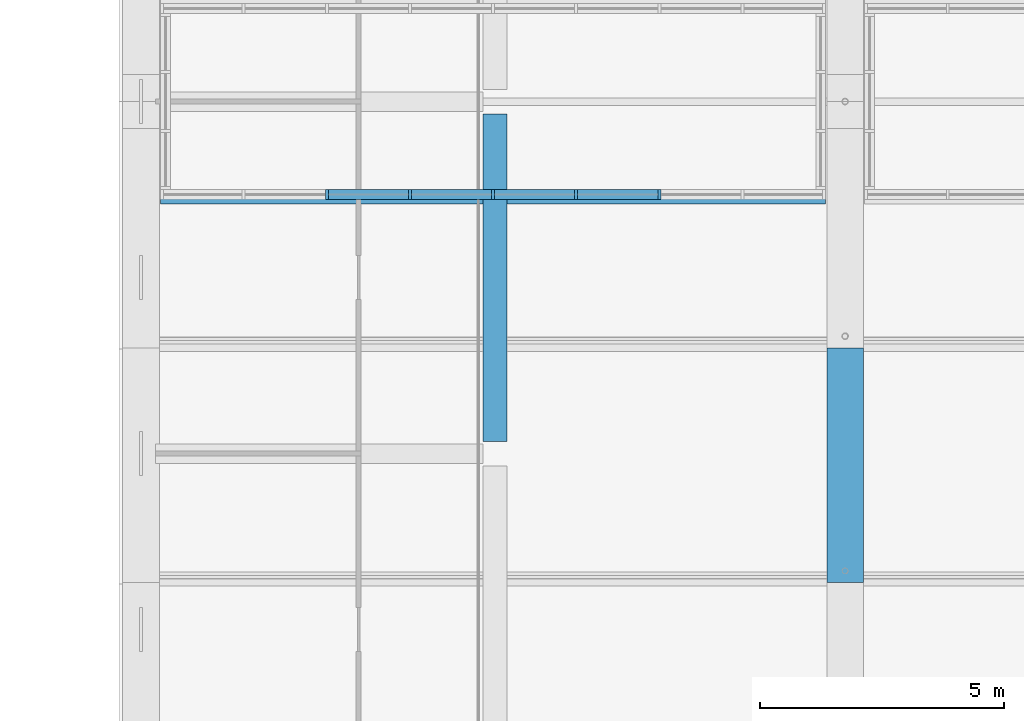
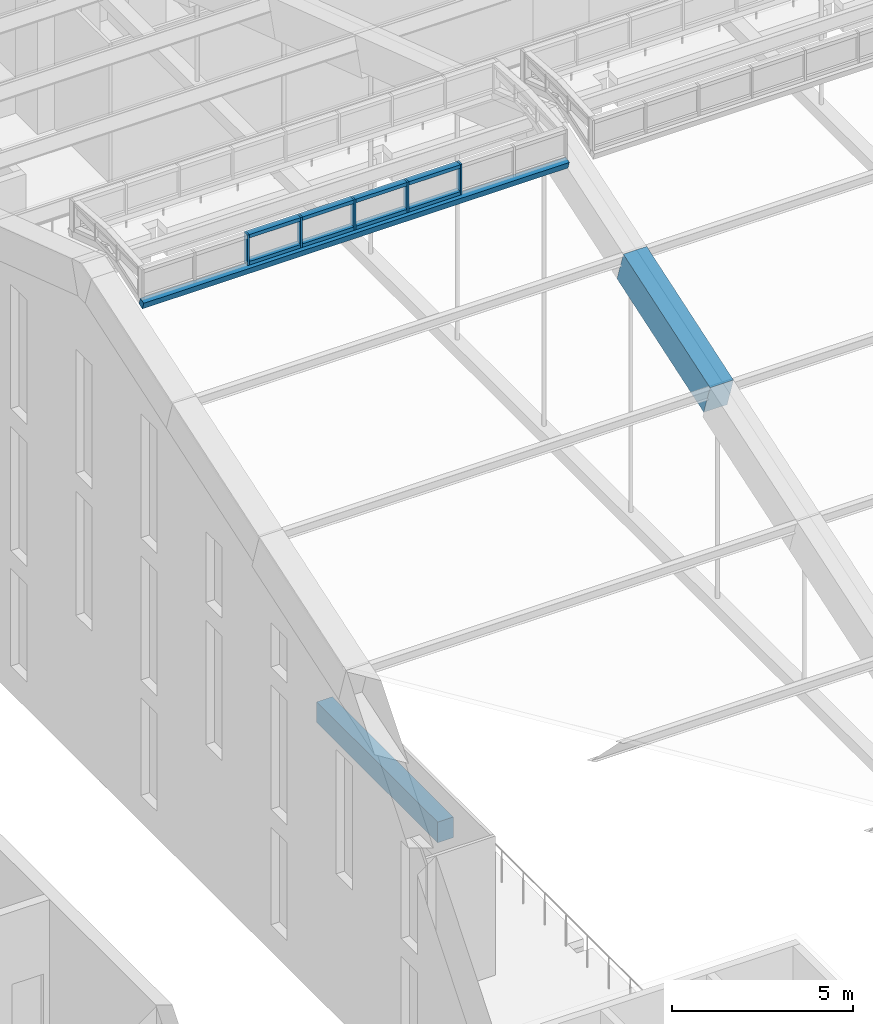
# One storey, part 30 of 149: 14 members, 2 beams, 1 element without a shape of its own.
"""IFC4 building model written with IfcOpenShell, lengths in metres."""

from ifc_helpers import new_model, si_unit, direction, frame, origin, origin_2d, place, context, subcontext, project, spatial, rectangle, extrude, material, material_profile, profile_set, type_object, element, aggregate, save


model = new_model("IFC4")

# Units and contexts
model_context = context("Model", 3, precision=1e-05, world=origin(), true_north=direction((0.0, 1.0)))
body_context = subcontext(model_context, "Body", "Model", "MODEL_VIEW")
ifc_project = project(units=[si_unit("LENGTHUNIT", "METRE"), si_unit("AREAUNIT", "SQUARE_METRE"), si_unit("VOLUMEUNIT", "CUBIC_METRE"), si_unit("PLANEANGLEUNIT", "RADIAN"), si_unit("MASSUNIT", "GRAM", prefix="KILO")], contexts=[model_context])

# Site, building, storey
site_placement = place(None, origin())
site = spatial("IfcSite", under=ifc_project, at=site_placement, CompositionType="ELEMENT")
building_placement = place(site_placement, origin())
building = spatial("IfcBuilding", under=site, at=building_placement, Name="Alderwick Market Hall", CompositionType="ELEMENT")
storey_placement = place(building_placement, frame((0.0, 0.0, 9.60009765625)))
storey = spatial("IfcBuildingStorey", under=building, at=storey_placement, Name="L01", CompositionType="ELEMENT", Elevation=9.60009765625)

# Beams
ifc_material_1 = material(Name="Concrete 5000 psi (f'c 35 MPa)", Category="concrete")
ifc_material_profile_1 = material_profile(ifc_material_1, rectangle(XDim=0.5, YDim=0.699951171875, at=origin_2d()), Name="RC 500x700")
ifc_profile_set_1 = profile_set([ifc_material_profile_1], Name="Concrete 5000 psi (f'c 35 MPa)")
beam_type_1 = type_object("IfcBeamType", Name="H Edge beam 500x700", PredefinedType="BEAM", material=ifc_profile_set_1)
beam_1_placement = place(storey_placement, frame((57.639892578125, 72.25, -0.60009765625), z_axis=(0.0, 1.0, 0.0), x_axis=(-1.0, 0.0, 0.0)))
element("IfcBeam", 1, at=beam_1_placement, inside=storey, type_object=beam_type_1, Name="Gallery edge beam W", PredefinedType="BEAM", context=body_context, shape_type="SweptSolid", body=[
    extrude(rectangle(XDim=0.5, YDim=0.699951171875, at=origin_2d()), origin(), (0.0, 0.0, 1.0), 6.699951171875),
])
ifc_material_profile_2 = material_profile(ifc_material_1, rectangle(XDim=0.75, YDim=1.10009765625, at=origin_2d()), Name="RC 750x1100")
ifc_profile_set_2 = profile_set([ifc_material_profile_2], Name="Concrete 5000 psi (f'c 35 MPa)")
beam_type_2 = type_object("IfcBeamType", Name="R Arch Rib Crown 750x1100", PredefinedType="BEAM", material=ifc_profile_set_2)
beam_2_placement = place(storey_placement, frame((64.800048828125, 69.536865234375, 13.189697265625), z_axis=(0.0, 0.948688123414, 0.316213289559), x_axis=(-1.0, 0.0, 0.0)))
element("IfcBeam", 2, at=beam_2_placement, inside=storey, type_object=beam_type_2, Name="Arch rib 2 chord 5", PredefinedType="BEAM", context=body_context, shape_type="SweptSolid", body=[
    extrude(rectangle(XDim=0.75, YDim=1.10009765625, at=origin_2d()), origin(), (0.0, 0.0, 1.0), 5.059326171875),
])

# Curtain wall, members
ifc_material_2 = material(Name="Aluminium", Category="aluminium")
curtain_wall_type = type_object("IfcCurtainWallType", Name="R Curtain Wall Frame", PredefinedType="NOTDEFINED", material=ifc_material_2)
curtain_wall_placement = place(storey_placement, origin())
curtain_wall = element("IfcCurtainWall", 3, at=curtain_wall_placement, inside=storey, type_object=curtain_wall_type, Name="Curtain wall LCW S1", PredefinedType="NOTDEFINED")
ifc_material_profile_3 = material_profile(ifc_material_2, rectangle(XDim=0.199951171875, YDim=0.06005859375, at=origin_2d()), Name="AL 60x200")
ifc_profile_set_3 = profile_set([ifc_material_profile_3], Name="Aluminium")
member_type_1 = type_object("IfcMemberType", Name="R CW Mullion 60x200", PredefinedType="MULLION", material=ifc_profile_set_3)
member_1_placement = place(storey_placement, frame((54.199951171875, 77.300048828125, 16.670166015625), z_axis=(0.0, 0.0, 1.0), x_axis=(0.0, 1.0, 0.0)))
member_1 = element("IfcMember", 4, at=member_1_placement, type_object=member_type_1, Name="LCW S1 mullion 3", PredefinedType="MULLION", context=body_context, shape_type="SweptSolid", body=[
    extrude(rectangle(XDim=0.199951171875, YDim=0.06005859375, at=origin_2d()), origin(), (0.0, 0.0, 1.0), 1.02978515625),
])
member_2_placement = place(storey_placement, frame((55.89990234375, 77.300048828125, 16.670166015625), z_axis=(0.0, 0.0, 1.0), x_axis=(0.0, 1.0, 0.0)))
member_2 = element("IfcMember", 5, at=member_2_placement, type_object=member_type_1, Name="LCW S1 mullion 4", PredefinedType="MULLION", context=body_context, shape_type="SweptSolid", body=[
    extrude(rectangle(XDim=0.199951171875, YDim=0.06005859375, at=origin_2d()), origin(), (0.0, 0.0, 1.0), 1.02978515625),
])
member_3_placement = place(storey_placement, frame((57.60009765625, 77.300048828125, 16.670166015625), z_axis=(0.0, 0.0, 1.0), x_axis=(0.0, 1.0, 0.0)))
member_3 = element("IfcMember", 6, at=member_3_placement, type_object=member_type_1, Name="LCW S1 mullion 5", PredefinedType="MULLION", context=body_context, shape_type="SweptSolid", body=[
    extrude(rectangle(XDim=0.199951171875, YDim=0.06005859375, at=origin_2d()), origin(), (0.0, 0.0, 1.0), 1.02978515625),
])
member_4_placement = place(storey_placement, frame((59.300048828125, 77.300048828125, 16.670166015625), z_axis=(0.0, 0.0, 1.0), x_axis=(0.0, 1.0, 0.0)))
member_4 = element("IfcMember", 7, at=member_4_placement, type_object=member_type_1, Name="LCW S1 mullion 6", PredefinedType="MULLION", context=body_context, shape_type="SweptSolid", body=[
    extrude(rectangle(XDim=0.199951171875, YDim=0.06005859375, at=origin_2d()), origin(), (0.0, 0.0, 1.0), 1.02978515625),
])
member_5_placement = place(storey_placement, frame((61.0, 77.300048828125, 16.670166015625), z_axis=(0.0, 0.0, 1.0), x_axis=(0.0, 1.0, 0.0)))
member_5 = element("IfcMember", 8, at=member_5_placement, type_object=member_type_1, Name="LCW S1 mullion 7", PredefinedType="MULLION", context=body_context, shape_type="SweptSolid", body=[
    extrude(rectangle(XDim=0.199951171875, YDim=0.06005859375, at=origin_2d()), origin(), (0.0, 0.0, 1.0), 1.02978515625),
])
ifc_material_profile_4 = material_profile(ifc_material_2, rectangle(XDim=0.199951171875, YDim=0.1201171875, at=origin_2d()), Name="AL 120x200")
ifc_profile_set_4 = profile_set([ifc_material_profile_4], Name="Aluminium")
member_type_2 = type_object("IfcMemberType", Name="R CW Transom 120x200", PredefinedType="USERDEFINED", material=ifc_profile_set_4)
member_6_placement = place(storey_placement, frame((54.22998046875, 77.300048828125, 16.730224609375), z_axis=(1.0, 0.0, 0.0), x_axis=(0.0, 1.0, 0.0)))
member_6 = element("IfcMember", 9, at=member_6_placement, type_object=member_type_2, Name="LCW S1 sill transom 3", ObjectType="TRANSOM", PredefinedType="USERDEFINED", context=body_context, shape_type="SweptSolid", body=[
    extrude(rectangle(XDim=0.199951171875, YDim=0.1201171875, at=origin_2d()), origin(), (0.0, 0.0, 1.0), 1.64013671875),
])
member_7_placement = place(storey_placement, frame((54.22998046875, 77.300048828125, 17.639892578125), z_axis=(1.0, 0.0, 0.0), x_axis=(0.0, 1.0, 0.0)))
member_7 = element("IfcMember", 10, at=member_7_placement, type_object=member_type_2, Name="LCW S1 head transom 3", ObjectType="TRANSOM", PredefinedType="USERDEFINED", context=body_context, shape_type="SweptSolid", body=[
    extrude(rectangle(XDim=0.199951171875, YDim=0.1201171875, at=origin_2d()), origin(), (0.0, 0.0, 1.0), 1.64013671875),
])
member_8_placement = place(storey_placement, frame((55.929931640625, 77.300048828125, 16.730224609375), z_axis=(1.0, 0.0, 0.0), x_axis=(0.0, 1.0, 0.0)))
member_8 = element("IfcMember", 11, at=member_8_placement, type_object=member_type_2, Name="LCW S1 sill transom 4", ObjectType="TRANSOM", PredefinedType="USERDEFINED", context=body_context, shape_type="SweptSolid", body=[
    extrude(rectangle(XDim=0.199951171875, YDim=0.1201171875, at=origin_2d()), origin(), (0.0, 0.0, 1.0), 1.64013671875),
])
member_9_placement = place(storey_placement, frame((55.929931640625, 77.300048828125, 17.639892578125), z_axis=(1.0, 0.0, 0.0), x_axis=(0.0, 1.0, 0.0)))
member_9 = element("IfcMember", 12, at=member_9_placement, type_object=member_type_2, Name="LCW S1 head transom 4", ObjectType="TRANSOM", PredefinedType="USERDEFINED", context=body_context, shape_type="SweptSolid", body=[
    extrude(rectangle(XDim=0.199951171875, YDim=0.1201171875, at=origin_2d()), origin(), (0.0, 0.0, 1.0), 1.64013671875),
])
member_10_placement = place(storey_placement, frame((57.6298828125, 77.300048828125, 16.730224609375), z_axis=(1.0, 0.0, 0.0), x_axis=(0.0, 1.0, 0.0)))
member_10 = element("IfcMember", 13, at=member_10_placement, type_object=member_type_2, Name="LCW S1 sill transom 5", ObjectType="TRANSOM", PredefinedType="USERDEFINED", context=body_context, shape_type="SweptSolid", body=[
    extrude(rectangle(XDim=0.199951171875, YDim=0.1201171875, at=origin_2d()), origin(), (0.0, 0.0, 1.0), 1.64013671875),
])
member_11_placement = place(storey_placement, frame((57.6298828125, 77.300048828125, 17.639892578125), z_axis=(1.0, 0.0, 0.0), x_axis=(0.0, 1.0, 0.0)))
member_11 = element("IfcMember", 14, at=member_11_placement, type_object=member_type_2, Name="LCW S1 head transom 5", ObjectType="TRANSOM", PredefinedType="USERDEFINED", context=body_context, shape_type="SweptSolid", body=[
    extrude(rectangle(XDim=0.199951171875, YDim=0.1201171875, at=origin_2d()), origin(), (0.0, 0.0, 1.0), 1.64013671875),
])
member_12_placement = place(storey_placement, frame((59.330078125, 77.300048828125, 16.730224609375), z_axis=(1.0, 0.0, 0.0), x_axis=(0.0, 1.0, 0.0)))
member_12 = element("IfcMember", 15, at=member_12_placement, type_object=member_type_2, Name="LCW S1 sill transom 6", ObjectType="TRANSOM", PredefinedType="USERDEFINED", context=body_context, shape_type="SweptSolid", body=[
    extrude(rectangle(XDim=0.199951171875, YDim=0.1201171875, at=origin_2d()), origin(), (0.0, 0.0, 1.0), 1.639892578125),
])
member_13_placement = place(storey_placement, frame((59.330078125, 77.300048828125, 17.639892578125), z_axis=(1.0, 0.0, 0.0), x_axis=(0.0, 1.0, 0.0)))
member_13 = element("IfcMember", 16, at=member_13_placement, type_object=member_type_2, Name="LCW S1 head transom 6", ObjectType="TRANSOM", PredefinedType="USERDEFINED", context=body_context, shape_type="SweptSolid", body=[
    extrude(rectangle(XDim=0.199951171875, YDim=0.1201171875, at=origin_2d()), origin(), (0.0, 0.0, 1.0), 1.639892578125),
])
ifc_material_3 = material(Name="Steel ASTM A572 Grade 50", Category="steel")
ifc_material_profile_5 = material_profile(ifc_material_3, rectangle(XDim=0.199951171875, YDim=0.25, at=origin_2d()), Name="Steel plate curb 200x250")
ifc_profile_set_5 = profile_set([ifc_material_profile_5], Name="Steel ASTM A572 Grade 50")
member_type_3 = type_object("IfcMemberType", Name="R Lantern Curb 200x250", PredefinedType="MEMBER", material=ifc_profile_set_5)
member_14_placement = place(storey_placement, frame((50.800048828125, 77.235107421875, 16.551513671875), z_axis=(1.0, 0.0, 0.0), x_axis=(0.0, 0.948683297073, 0.316227768949)))
member_14 = element("IfcMember", 17, at=member_14_placement, type_object=member_type_3, Name="Lantern curb S1", PredefinedType="MEMBER", context=body_context, shape_type="SweptSolid", body=[
    extrude(rectangle(XDim=0.199951171875, YDim=0.25, at=origin_2d()), origin(), (0.0, 0.0, 1.0), 13.599853515625),
])
aggregate(curtain_wall, [member_1, member_2, member_3, member_4, member_5, member_6, member_7, member_8, member_9, member_10, member_11, member_12, member_13, member_14])

save(model, "model.ifc")
